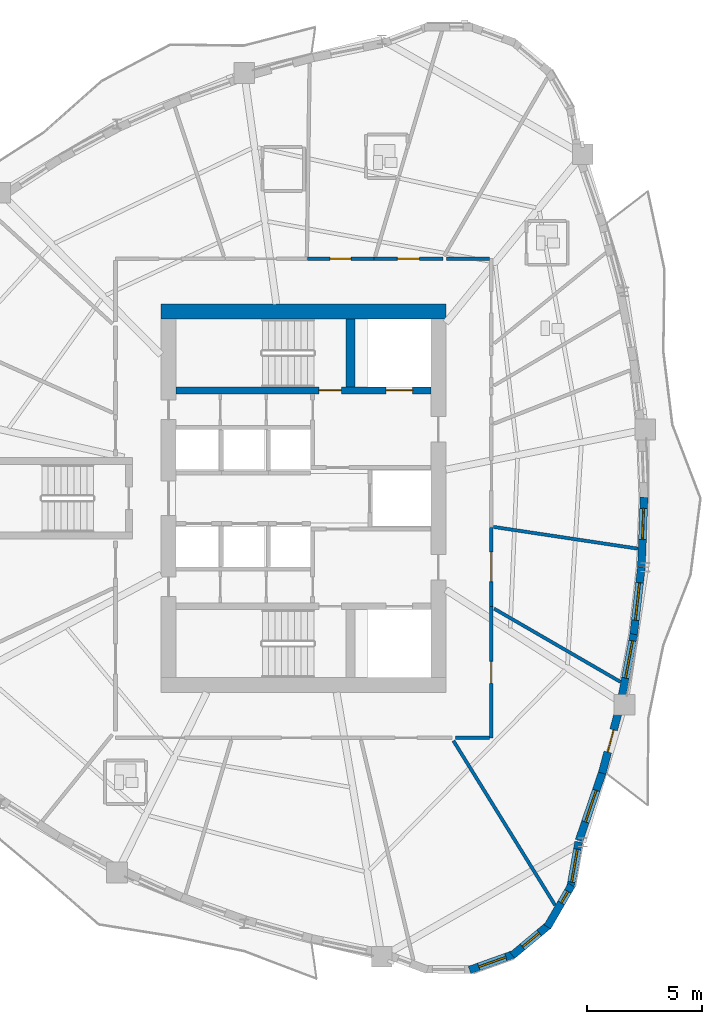
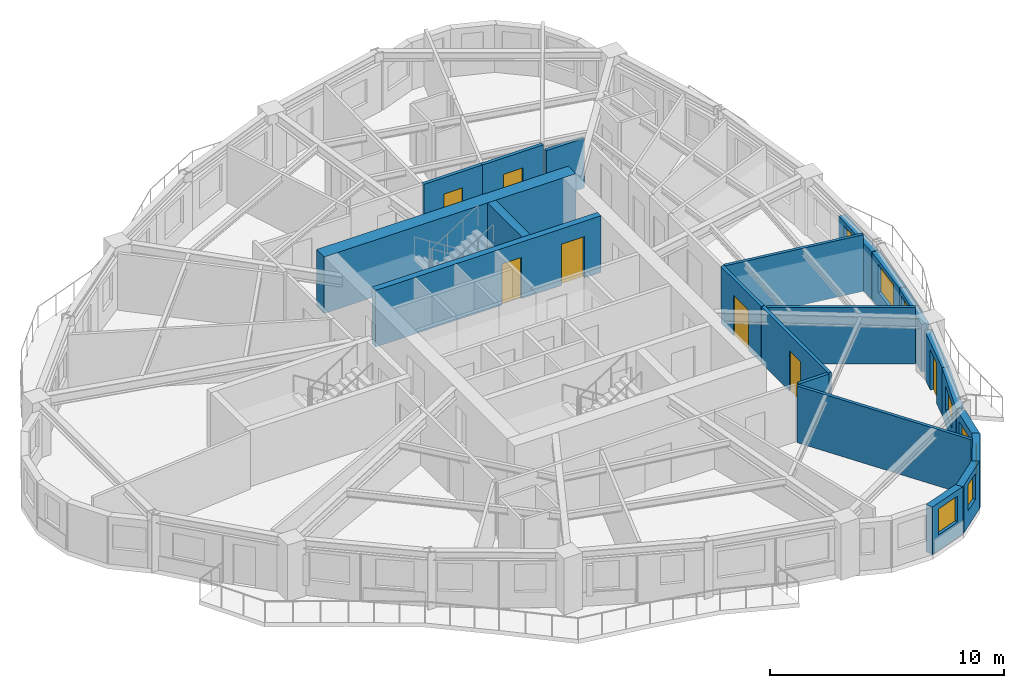
# One storey, part 6 of 12: 21 walls, 8 windows, 7 doors, 15 openings.
"""IFC4 building model written with IfcOpenShell, lengths in metres."""

from ifc_helpers import new_model, si_unit, direction, frame, frame_2d, origin, place, context, subcontext, project, spatial, rectangle, extrude, source, transform, mapped, material, layer, layer_set, type_object, element, fill, save


model = new_model("IFC4")

# Units and contexts
model_context = context("Model", 3, precision=1e-05, world=origin(), true_north=direction((0.0, 1.0)))
body_context = subcontext(model_context, "Body", "Model", "MODEL_VIEW")
ifc_project = project(units=[si_unit("LENGTHUNIT", "METRE"), si_unit("AREAUNIT", "SQUARE_METRE"), si_unit("VOLUMEUNIT", "CUBIC_METRE"), si_unit("PLANEANGLEUNIT", "RADIAN"), si_unit("MASSUNIT", "GRAM", prefix="KILO")], contexts=[model_context])

# Site, building, storey
site_placement = place(None, origin())
site = spatial("IfcSite", under=ifc_project, at=site_placement, CompositionType="ELEMENT")
building_placement = place(site_placement, origin())
building = spatial("IfcBuilding", under=site, at=building_placement, Name="Qafzar Sky-Pleat Residences", CompositionType="ELEMENT")
storey_placement = place(building_placement, frame((0.0, 0.0, 96.0)))
storey = spatial("IfcBuildingStorey", under=building, at=storey_placement, Name="L28", CompositionType="ELEMENT", Elevation=96.0)

# Wall, opening, door
ifc_material_1 = material(Name="Acoustic gypsum plasterboard partition", Category="gypsum")
ifc_layer_1 = layer(ifc_material_1, 0.159912109375)
ifc_layer_set_1 = layer_set([ifc_layer_1], Name="Acoustic gypsum plasterboard partition")
wall_type_1 = type_object("IfcWallType", Name="PART-COR-160", PredefinedType="PARTITIONING", material=ifc_layer_set_1)
wall_1_placement = place(storey_placement, frame((38.530029296875, 21.281005859375, 0.0), z_axis=(0.0, 0.0, 1.0), x_axis=(0.0, -1.0, 0.0)))
wall_1 = element("IfcWall", 1, at=wall_1_placement, inside=storey, type_object=wall_type_1, Name="L28 Partition Wall PART-L28-PW-002", PredefinedType="PARTITIONING", context=body_context, shape_type="SweptSolid", body=[
    extrude(rectangle(XDim=5.7109375, YDim=0.159912109375, at=frame_2d((2.85546875, 0.0))), origin(), (0.0, 0.0, 1.0), 2.949951171875),
])
opening_1_placement = place(wall_1_placement, frame((2.384033203125, 0.0, 0.0)))
opening_1 = element("IfcOpeningElement", 2, at=opening_1_placement, cuts=wall_1, Name="Opening ID-06", PredefinedType="OPENING", context=body_context, shape_type="SweptSolid", body=[
    extrude(rectangle(XDim=0.9599609375, YDim=2.10009765625, at=frame_2d((0.47998046875, 1.050048828125))), frame((0.0, 0.08984375, 0.0), z_axis=(0.0, -1.0, 0.0), x_axis=(1.0, 0.0, 0.0)), (0.0, 0.0, 1.0), 0.179931640625),
])
ifc_material_2 = material(Name="Timber-faced fire door", Category="wood")
door_type_1 = type_object("IfcDoorType", Name="DR-STD-960", OperationType="NOTDEFINED", PredefinedType="DOOR", material=ifc_material_2)
shared_shape_1 = source(origin(), body_context, "Body", "SweptSolid", [
    extrude(rectangle(XDim=0.9599609375, YDim=2.10009765625, at=frame_2d((0.47998046875, 1.050048828125))), frame((0.0, 0.02490234375, 0.0), z_axis=(0.0, -1.0, 0.0), x_axis=(1.0, 0.0, 0.0)), (0.0, 0.0, 1.0), 0.050048828125),
])
door_1_placement = place(opening_1_placement, origin())
door_1 = element("IfcDoor", 3, at=door_1_placement, inside=storey, type_object=door_type_1, Name="L28 Faculty Research Office Door", OperationType="SINGLE_SWING_RIGHT", OverallHeight=2.10009765625, OverallWidth=0.9599609375, PredefinedType="DOOR", context=body_context, shape_type="MappedRepresentation", body=[
    mapped(shared_shape_1, transform((0.0, 0.0, 0.0), x_axis=(1.0, 0.0, 0.0), y_axis=(0.0, 1.0, 0.0), z_axis=(0.0, 0.0, 1.0), scale=1.0)),
])
fill(opening_1, door_1)

wall_2_placement = place(storey_placement, frame((38.530029296875, 24.738037109375, 0.0), z_axis=(0.0, 0.0, 1.0), x_axis=(0.0, -1.0, 0.0)))
wall_2 = element("IfcWall", 4, at=wall_2_placement, inside=storey, type_object=wall_type_1, Name="L28 Partition Wall PART-L28-PW-011", PredefinedType="PARTITIONING", context=body_context, shape_type="SweptSolid", body=[
    extrude(rectangle(XDim=3.442138671875, YDim=0.159912109375, at=frame_2d((1.72119140625, 0.0))), origin(), (0.0, 0.0, 1.0), 2.949951171875),
])
opening_2_placement = place(wall_2_placement, frame((1.072021484375, 0.0, 0.0)))
opening_2 = element("IfcOpeningElement", 5, at=opening_2_placement, cuts=wall_2, Name="Opening ID-05", PredefinedType="OPENING", context=body_context, shape_type="SweptSolid", body=[
    extrude(rectangle(XDim=1.300048828125, YDim=2.10009765625, at=frame_2d((0.64990234375, 1.050048828125))), frame((0.0, 0.08984375, 0.0), z_axis=(0.0, -1.0, 0.0), x_axis=(1.0, 0.0, 0.0)), (0.0, 0.0, 1.0), 0.179931640625),
])
door_type_2 = type_object("IfcDoorType", Name="DR-LNG-1300", OperationType="DOUBLE_DOOR_SINGLE_SWING", PredefinedType="DOOR", material=ifc_material_2)
shared_shape_2 = source(origin(), body_context, "Body", "SweptSolid", [
    extrude(rectangle(XDim=1.300048828125, YDim=2.10009765625, at=frame_2d((0.64990234375, 1.050048828125))), frame((0.0, 0.02490234375, 0.0), z_axis=(0.0, -1.0, 0.0), x_axis=(1.0, 0.0, 0.0)), (0.0, 0.0, 1.0), 0.050048828125),
])
door_2_placement = place(opening_2_placement, origin())
door_2 = element("IfcDoor", 6, at=door_2_placement, inside=storey, type_object=door_type_2, Name="L28 Communal Kitchen Door", OperationType="DOUBLE_DOOR_SINGLE_SWING", OverallHeight=2.10009765625, OverallWidth=1.300048828125, PredefinedType="DOOR", context=body_context, shape_type="MappedRepresentation", body=[
    mapped(shared_shape_2, transform((0.0, 0.0, 0.0), x_axis=(1.0, 0.0, 0.0), y_axis=(0.0, 1.0, 0.0), z_axis=(0.0, 0.0, 1.0), scale=1.0)),
])
fill(opening_2, door_2)

wall_3_placement = place(storey_placement, frame((33.427978515625, 36.429931640625, 0.0), z_axis=(0.0, 0.0, 1.0), x_axis=(1.0, 0.0, 0.0)))
wall_3 = element("IfcWall", 7, at=wall_3_placement, inside=storey, type_object=wall_type_1, Name="L28 Partition Wall PART-L28-PW-012", PredefinedType="PARTITIONING", context=body_context, shape_type="SweptSolid", body=[
    extrude(rectangle(XDim=2.991943359375, YDim=0.159912109375, at=frame_2d((1.49609375, 0.0))), origin(), (0.0, 0.0, 1.0), 2.949951171875),
])
opening_3_placement = place(wall_3_placement, frame((1.015380859375, 0.0, 0.0)))
opening_3 = element("IfcOpeningElement", 8, at=opening_3_placement, cuts=wall_3, Name="Opening ID-06", PredefinedType="OPENING", context=body_context, shape_type="SweptSolid", body=[
    extrude(rectangle(XDim=0.9599609375, YDim=2.10009765625, at=frame_2d((0.47998046875, 1.050048828125))), frame((0.0, 0.08984375, 0.0), z_axis=(0.0, -1.0, 0.0), x_axis=(1.0, 0.0, 0.0)), (0.0, 0.0, 1.0), 0.179931640625),
])
door_3_placement = place(opening_3_placement, origin())
door_3 = element("IfcDoor", 9, at=door_3_placement, inside=storey, type_object=door_type_1, Name="L28 Reading Library Door", OperationType="SINGLE_SWING_LEFT", OverallHeight=2.10009765625, OverallWidth=0.9599609375, PredefinedType="DOOR", context=body_context, shape_type="MappedRepresentation", body=[
    mapped(shared_shape_1, transform((0.0, 0.0, 0.0), x_axis=(1.0, 0.0, 0.0), y_axis=(0.0, 1.0, 0.0), z_axis=(0.0, 0.0, 1.0), scale=1.0)),
])
fill(opening_3, door_3)

wall_4_placement = place(storey_placement, frame((30.529052734375, 36.429931640625, 0.0), z_axis=(0.0, 0.0, 1.0), x_axis=(1.0, 0.0, 0.0)))
wall_4 = element("IfcWall", 10, at=wall_4_placement, inside=storey, type_object=wall_type_1, Name="L28 Partition Wall PART-L28-PW-013", PredefinedType="PARTITIONING", context=body_context, shape_type="SweptSolid", body=[
    extrude(rectangle(XDim=2.884033203125, YDim=0.159912109375, at=frame_2d((1.44189453125, 0.0))), origin(), (0.0, 0.0, 1.0), 2.949951171875),
])
opening_4_placement = place(wall_4_placement, frame((0.982421875, 0.0, 0.0)))
opening_4 = element("IfcOpeningElement", 11, at=opening_4_placement, cuts=wall_4, Name="Opening ID-04", PredefinedType="OPENING", context=body_context, shape_type="SweptSolid", body=[
    extrude(rectangle(XDim=0.919921875, YDim=2.10009765625, at=frame_2d((0.4599609375, 1.050048828125))), frame((0.0, 0.08984375, 0.0), z_axis=(0.0, -1.0, 0.0), x_axis=(1.0, 0.0, 0.0)), (0.0, 0.0, 1.0), 0.179931640625),
])
door_type_3 = type_object("IfcDoorType", Name="DR-BED-920", OperationType="NOTDEFINED", PredefinedType="DOOR", material=ifc_material_2)
shared_shape_3 = source(origin(), body_context, "Body", "SweptSolid", [
    extrude(rectangle(XDim=0.919921875, YDim=2.10009765625, at=frame_2d((0.4599609375, 1.050048828125))), frame((0.0, 0.02490234375, 0.0), z_axis=(0.0, -1.0, 0.0), x_axis=(1.0, 0.0, 0.0)), (0.0, 0.0, 1.0), 0.050048828125),
])
door_4_placement = place(opening_4_placement, origin())
door_4 = element("IfcDoor", 12, at=door_4_placement, inside=storey, type_object=door_type_3, Name="L28 Co-Living Bedroom 3 Door", OperationType="SINGLE_SWING_RIGHT", OverallHeight=2.10009765625, OverallWidth=0.919921875, PredefinedType="DOOR", context=body_context, shape_type="MappedRepresentation", body=[
    mapped(shared_shape_3, transform((0.0, 0.0, 0.0), x_axis=(1.0, 0.0, 0.0), y_axis=(0.0, 1.0, 0.0), z_axis=(0.0, 0.0, 1.0), scale=1.0)),
])
fill(opening_4, door_4)

# Walls
wall_5_placement = place(storey_placement, frame((36.5732421875, 36.429931640625, 0.0), z_axis=(0.0, 0.0, 1.0), x_axis=(1.0, 0.0, 0.0)))
element("IfcWall", 13, at=wall_5_placement, inside=storey, type_object=wall_type_1, Name="L28 Partition Wall PART-L28-PW-041", PredefinedType="PARTITIONING", context=body_context, shape_type="SweptSolid", body=[
    extrude(rectangle(XDim=1.86865234375, YDim=0.159912109375, at=frame_2d((0.934326171875, 0.0))), origin(), (0.0, 0.0, 1.0), 2.587890625),
])
wall_6_placement = place(storey_placement, frame((36.976806640625, 15.570068359375, 0.0), z_axis=(0.0, 0.0, 1.0), x_axis=(1.0, 0.0, 0.0)))
element("IfcWall", 14, at=wall_6_placement, inside=storey, type_object=wall_type_1, Name="L28 Partition Wall PART-L28-PW-052", PredefinedType="PARTITIONING", context=body_context, shape_type="SweptSolid", body=[
    extrude(rectangle(XDim=1.465087890625, YDim=0.159912109375, at=frame_2d((0.732421875, 0.0))), origin(), (0.0, 0.0, 1.0), 2.949951171875),
])
ifc_layer_2 = layer(ifc_material_1, 0.14501953125)
ifc_layer_set_2 = layer_set([ifc_layer_2], Name="Acoustic gypsum plasterboard partition")
wall_type_2 = type_object("IfcWallType", Name="PART-UNIT-145", PredefinedType="PARTITIONING", material=ifc_layer_set_2)
wall_7_placement = place(storey_placement, frame((36.87841796875, 15.445068359375, 0.0), z_axis=(0.0, 0.0, 1.0), x_axis=(0.526001305793, -0.850483760165, 0.0)))
element("IfcWall", 15, at=wall_7_placement, inside=storey, type_object=wall_type_2, Name="L28 Partition Wall PART-L28-PW-026", PredefinedType="PARTITIONING", context=body_context, shape_type="SweptSolid", body=[
    extrude(rectangle(XDim=8.42236328125, YDim=0.14501953125, at=frame_2d((4.211181640625, 0.0))), origin(), (0.0, 0.0, 1.0), 2.949951171875),
])
wall_8_placement = place(storey_placement, frame((38.6533203125, 21.192626953125, 0.0), z_axis=(0.0, 0.0, 1.0), x_axis=(0.865364941279, -0.501142213753, 0.0)))
element("IfcWall", 16, at=wall_8_placement, inside=storey, type_object=wall_type_2, Name="L28 Partition Wall PART-L28-PW-034", PredefinedType="PARTITIONING", context=body_context, shape_type="SweptSolid", body=[
    extrude(rectangle(XDim=6.358642578125, YDim=0.14501953125, at=frame_2d((3.17919921875, 0.0))), origin(), (0.0, 0.0, 1.0), 2.949951171875),
])
wall_9_placement = place(storey_placement, frame((38.628662109375, 24.753173828125, 0.0), z_axis=(0.0, 0.0, 1.0), x_axis=(0.988841427723, -0.148971912852, 0.0)))
element("IfcWall", 17, at=wall_9_placement, inside=storey, type_object=wall_type_2, Name="L28 Partition Wall PART-L28-PW-035", PredefinedType="PARTITIONING", context=body_context, shape_type="SweptSolid", body=[
    extrude(rectangle(XDim=6.35205078125, YDim=0.14501953125, at=frame_2d((3.176025390625, 0.0))), origin(), (0.0, 0.0, 1.0), 2.949951171875),
])

# Wall, opening, window
ifc_material_3 = material(Name="Precast concrete C40/50 with honed Riyadh limestone", Category="concrete")
ifc_layer_3 = layer(ifc_material_3, 0.340087890625)
ifc_layer_set_3 = layer_set([ifc_layer_3], Name="Precast concrete C40/50 with honed Riyadh limestone")
wall_type_3 = type_object("IfcWallType", Name="WALL-EXT-340", PredefinedType="SOLIDWALL", material=ifc_layer_set_3)
wall_10_placement = place(storey_placement, frame((37.58447265625, 5.458251953125, 0.0), z_axis=(0.0, 0.0, 1.0), x_axis=(0.941473186867, 0.33708787936, 0.0)))
wall_10 = element("IfcWall", 18, at=wall_10_placement, inside=storey, type_object=wall_type_3, Name="L28 Limestone Facade Wall 19", PredefinedType="SOLIDWALL", context=body_context, shape_type="SweptSolid", body=[
    extrude(rectangle(XDim=2.098876953125, YDim=0.340087890625, at=frame_2d((1.04931640625, 0.0))), origin(), (0.0, 0.0, 1.0), 2.47998046875),
])
opening_5_placement = place(wall_10_placement, frame((0.424560546875, 0.0, 0.820068359375)))
opening_5 = element("IfcOpeningElement", 19, at=opening_5_placement, cuts=wall_10, Name="Opening WN-11", PredefinedType="OPENING", context=body_context, shape_type="SweptSolid", body=[
    extrude(rectangle(XDim=1.25, YDim=1.35009765625, at=frame_2d((0.625, 0.675048828125))), frame((0.0, 0.18017578125, 0.0), z_axis=(0.0, -1.0, 0.0), x_axis=(1.0, 0.0, 0.0)), (0.0, 0.0, 1.0), 0.360107421875),
])
ifc_material_4 = material(Name="Solar-control low-E glass in bronze aluminium frame", Category="glass")
window_type_1 = type_object("IfcWindowType", Name="WIN-11", PartitioningType="SINGLE_PANEL", PredefinedType="WINDOW", material=ifc_material_4)
shared_shape_4 = source(origin(), body_context, "Body", "SweptSolid", [
    extrude(rectangle(XDim=1.25, YDim=1.35009765625, at=frame_2d((0.625, 0.675048828125))), frame((0.0, 0.030029296875, 0.0), z_axis=(0.0, -1.0, 0.0), x_axis=(1.0, 0.0, 0.0)), (0.0, 0.0, 1.0), 0.06005859375),
])
window_1_placement = place(opening_5_placement, origin())
window_1 = element("IfcWindow", 20, at=window_1_placement, inside=storey, type_object=window_type_1, Name="L28 Punched Facade Window 19", OverallHeight=1.35009765625, OverallWidth=1.25, PartitioningType="SINGLE_PANEL", PredefinedType="WINDOW", context=body_context, shape_type="MappedRepresentation", body=[
    mapped(shared_shape_4, transform((0.0, 0.0, 0.0), x_axis=(1.0, 0.0, 0.0), y_axis=(0.0, 1.0, 0.0), z_axis=(0.0, 0.0, 1.0), scale=1.0)),
])
fill(opening_5, window_1)

wall_11_placement = place(storey_placement, frame((39.444091796875, 6.09912109375, 0.0), z_axis=(0.0, 0.0, 1.0), x_axis=(0.768497696041, 0.639852554249, 0.0)))
wall_11 = element("IfcWall", 21, at=wall_11_placement, inside=storey, type_object=wall_type_3, Name="L28 Limestone Facade Wall 20", PredefinedType="SOLIDWALL", context=body_context, shape_type="SweptSolid", body=[
    extrude(rectangle(XDim=2.098876953125, YDim=0.340087890625, at=frame_2d((1.04931640625, 0.0))), origin(), (0.0, 0.0, 1.0), 2.47998046875),
])
opening_6_placement = place(wall_11_placement, frame((0.574462890625, 0.0, 0.820068359375)))
opening_6 = element("IfcOpeningElement", 22, at=opening_6_placement, cuts=wall_11, Name="Opening WN-12", PredefinedType="OPENING", context=body_context, shape_type="SweptSolid", body=[
    extrude(rectangle(XDim=0.949951171875, YDim=1.35009765625, at=frame_2d((0.47509765625, 0.675048828125))), frame((0.0, 0.18017578125, 0.0), z_axis=(0.0, -1.0, 0.0), x_axis=(1.0, 0.0, 0.0)), (0.0, 0.0, 1.0), 0.360107421875),
])
window_type_2 = type_object("IfcWindowType", Name="WIN-12", PartitioningType="SINGLE_PANEL", PredefinedType="WINDOW", material=ifc_material_4)
shared_shape_5 = source(origin(), body_context, "Body", "SweptSolid", [
    extrude(rectangle(XDim=0.949951171875, YDim=1.35009765625, at=frame_2d((0.47509765625, 0.675048828125))), frame((0.0, 0.030029296875, 0.0), z_axis=(0.0, -1.0, 0.0), x_axis=(1.0, 0.0, 0.0)), (0.0, 0.0, 1.0), 0.06005859375),
])
window_2_placement = place(opening_6_placement, origin())
window_2 = element("IfcWindow", 23, at=window_2_placement, inside=storey, type_object=window_type_2, Name="L28 Punched Facade Window 20", OverallHeight=1.35009765625, OverallWidth=0.949951171875, PartitioningType="SINGLE_PANEL", PredefinedType="WINDOW", context=body_context, shape_type="MappedRepresentation", body=[
    mapped(shared_shape_5, transform((0.0, 0.0, 0.0), x_axis=(1.0, 0.0, 0.0), y_axis=(0.0, 1.0, 0.0), z_axis=(0.0, 0.0, 1.0), scale=1.0)),
])
fill(opening_6, window_2)

wall_12_placement = place(storey_placement, frame((40.970703125, 7.339599609375, 0.0), z_axis=(0.0, 0.0, 1.0), x_axis=(0.501902596059, 0.864924149315, 0.0)))
wall_12 = element("IfcWall", 24, at=wall_12_placement, inside=storey, type_object=wall_type_3, Name="L28 Limestone Facade Wall 21", PredefinedType="SOLIDWALL", context=body_context, shape_type="SweptSolid", body=[
    extrude(rectangle(XDim=2.098876953125, YDim=0.340087890625, at=frame_2d((1.04931640625, 0.0))), origin(), (0.0, 0.0, 1.0), 2.47998046875),
])
opening_7_placement = place(wall_12_placement, frame((1.206298828125, 0.0, 0.820068359375)))
opening_7 = element("IfcOpeningElement", 25, at=opening_7_placement, cuts=wall_12, Name="Opening WN-17", PredefinedType="OPENING", context=body_context, shape_type="SweptSolid", body=[
    extrude(rectangle(XDim=0.580078125, YDim=1.35009765625, at=frame_2d((0.2900390625, 0.675048828125))), frame((0.0, 0.18017578125, 0.0), z_axis=(0.0, -1.0, 0.0), x_axis=(1.0, 0.0, 0.0)), (0.0, 0.0, 1.0), 0.360107421875),
])
window_type_3 = type_object("IfcWindowType", Name="WIN-17", PartitioningType="SINGLE_PANEL", PredefinedType="WINDOW", material=ifc_material_4)
shared_shape_6 = source(origin(), body_context, "Body", "SweptSolid", [
    extrude(rectangle(XDim=0.580078125, YDim=1.35009765625, at=frame_2d((0.2900390625, 0.675048828125))), frame((0.0, 0.030029296875, 0.0), z_axis=(0.0, -1.0, 0.0), x_axis=(1.0, 0.0, 0.0)), (0.0, 0.0, 1.0), 0.06005859375),
])
window_3_placement = place(opening_7_placement, origin())
window_3 = element("IfcWindow", 26, at=window_3_placement, inside=storey, type_object=window_type_3, Name="L28 Punched Facade Window 21-2", OverallHeight=1.35009765625, OverallWidth=0.580078125, PartitioningType="SINGLE_PANEL", PredefinedType="WINDOW", context=body_context, shape_type="MappedRepresentation", body=[
    mapped(shared_shape_6, transform((0.0, 0.0, 0.0), x_axis=(1.0, 0.0, 0.0), y_axis=(0.0, 1.0, 0.0), z_axis=(0.0, 0.0, 1.0), scale=1.0)),
])
fill(opening_7, window_3)

wall_13_placement = place(storey_placement, frame((41.978271484375, 9.029052734375, 0.0), z_axis=(0.0, 0.0, 1.0), x_axis=(0.174283452483, 0.984695525627, 0.0)))
wall_13 = element("IfcWall", 27, at=wall_13_placement, inside=storey, type_object=wall_type_3, Name="L28 Limestone Facade Wall 22", PredefinedType="SOLIDWALL", context=body_context, shape_type="SweptSolid", body=[
    extrude(rectangle(XDim=2.041015625, YDim=0.340087890625, at=frame_2d((1.0205078125, 0.0))), origin(), (0.0, 0.0, 1.0), 2.47998046875),
])
opening_8_placement = place(wall_13_placement, frame((0.265380859375, 0.0, 0.820068359375)))
opening_8 = element("IfcOpeningElement", 28, at=opening_8_placement, cuts=wall_13, Name="Opening WN-15", PredefinedType="OPENING", context=body_context, shape_type="SweptSolid", body=[
    extrude(rectangle(XDim=1.449951171875, YDim=1.25, at=frame_2d((0.72509765625, 0.625))), frame((0.0, 0.18017578125, 0.0), z_axis=(0.0, -1.0, 0.0), x_axis=(1.0, 0.0, 0.0)), (0.0, 0.0, 1.0), 0.360107421875),
])
window_type_4 = type_object("IfcWindowType", Name="WIN-15", PartitioningType="SINGLE_PANEL", PredefinedType="WINDOW", material=ifc_material_4)
shared_shape_7 = source(origin(), body_context, "Body", "SweptSolid", [
    extrude(rectangle(XDim=1.449951171875, YDim=1.25, at=frame_2d((0.72509765625, 0.625))), frame((0.0, 0.030029296875, 0.0), z_axis=(0.0, -1.0, 0.0), x_axis=(1.0, 0.0, 0.0)), (0.0, 0.0, 1.0), 0.06005859375),
])
window_4_placement = place(opening_8_placement, origin())
window_4 = element("IfcWindow", 29, at=window_4_placement, inside=storey, type_object=window_type_4, Name="L28 Punched Facade Window 22", OverallHeight=1.25, OverallWidth=1.449951171875, PartitioningType="SINGLE_PANEL", PredefinedType="WINDOW", context=body_context, shape_type="MappedRepresentation", body=[
    mapped(shared_shape_7, transform((0.0, 0.0, 0.0), x_axis=(1.0, 0.0, 0.0), y_axis=(0.0, 1.0, 0.0), z_axis=(0.0, 0.0, 1.0), scale=1.0)),
])
fill(opening_8, window_4)

wall_14_placement = place(storey_placement, frame((42.3505859375, 11.102783203125, 0.0), z_axis=(0.0, 0.0, 1.0), x_axis=(0.323582854182, 0.946199839611, 0.0)))
wall_14 = element("IfcWall", 30, at=wall_14_placement, inside=storey, type_object=wall_type_3, Name="L28 Limestone Facade Wall 23", PredefinedType="SOLIDWALL", context=body_context, shape_type="SweptSolid", body=[
    extrude(rectangle(XDim=3.182373046875, YDim=0.340087890625, at=frame_2d((1.59130859375, 0.0))), origin(), (0.0, 0.0, 1.0), 2.47998046875),
])
opening_9_placement = place(wall_14_placement, frame((0.856201171875, 0.0, 0.820068359375)))
opening_9 = element("IfcOpeningElement", 31, at=opening_9_placement, cuts=wall_14, Name="Opening WN-15", PredefinedType="OPENING", context=body_context, shape_type="SweptSolid", body=[
    extrude(rectangle(XDim=1.449951171875, YDim=1.25, at=frame_2d((0.72509765625, 0.625))), frame((0.0, 0.18017578125, 0.0), z_axis=(0.0, -1.0, 0.0), x_axis=(1.0, 0.0, 0.0)), (0.0, 0.0, 1.0), 0.360107421875),
])
window_5_placement = place(opening_9_placement, origin())
window_5 = element("IfcWindow", 32, at=window_5_placement, inside=storey, type_object=window_type_4, Name="L28 Punched Facade Window 23", OverallHeight=1.25, OverallWidth=1.449951171875, PartitioningType="SINGLE_PANEL", PredefinedType="WINDOW", context=body_context, shape_type="MappedRepresentation", body=[
    mapped(shared_shape_7, transform((0.0, 0.0, 0.0), x_axis=(1.0, 0.0, 0.0), y_axis=(0.0, 1.0, 0.0), z_axis=(0.0, 0.0, 1.0), scale=1.0)),
])
fill(opening_9, window_5)

# Wall, opening, door
wall_15_placement = place(storey_placement, frame((43.35498046875, 14.030029296875, 0.0), z_axis=(0.0, 0.0, 1.0), x_axis=(0.257056088809, 0.96639648551, 0.0)))
wall_15 = element("IfcWall", 33, at=wall_15_placement, inside=storey, type_object=wall_type_3, Name="L28 Limestone Facade Wall 24", PredefinedType="SOLIDWALL", context=body_context, shape_type="SweptSolid", body=[
    extrude(rectangle(XDim=2.90625, YDim=0.340087890625, at=frame_2d((1.453125, 0.0))), origin(), (0.0, 0.0, 1.0), 2.47998046875),
])
opening_10_placement = place(wall_15_placement, frame((0.953125, 0.0, 0.0)))
opening_10 = element("IfcOpeningElement", 34, at=opening_10_placement, cuts=wall_15, Name="Opening ED-05", PredefinedType="OPENING", context=body_context, shape_type="SweptSolid", body=[
    extrude(rectangle(XDim=1.0, YDim=2.10009765625, at=frame_2d((0.5, 1.050048828125))), frame((0.0, 0.18017578125, 0.0), z_axis=(0.0, -1.0, 0.0), x_axis=(1.0, 0.0, 0.0)), (0.0, 0.0, 1.0), 0.360107421875),
])
ifc_material_5 = material(Name="Glazed bronze aluminium door", Category="aluminium")
door_type_4 = type_object("IfcDoorType", Name="DR-BAL-1000", OperationType="NOTDEFINED", PredefinedType="DOOR", material=ifc_material_5)
shared_shape_8 = source(origin(), body_context, "Body", "SweptSolid", [
    extrude(rectangle(XDim=1.0, YDim=2.10009765625, at=frame_2d((0.5, 1.050048828125))), frame((0.0, 0.02490234375, 0.0), z_axis=(0.0, -1.0, 0.0), x_axis=(1.0, 0.0, 0.0)), (0.0, 0.0, 1.0), 0.050048828125),
])
door_5_placement = place(opening_10_placement, origin())
door_5 = element("IfcDoor", 35, at=door_5_placement, inside=storey, type_object=door_type_4, Name="L28 Glazed Balcony Door 1", OperationType="SINGLE_SWING_LEFT", OverallHeight=2.10009765625, OverallWidth=1.0, PredefinedType="DOOR", context=body_context, shape_type="MappedRepresentation", body=[
    mapped(shared_shape_8, transform((0.0, 0.0, 0.0), x_axis=(1.0, 0.0, 0.0), y_axis=(0.0, 1.0, 0.0), z_axis=(0.0, 0.0, 1.0), scale=1.0)),
])
fill(opening_10, door_5)

# Wall, opening, window
wall_16_placement = place(storey_placement, frame((44.201416015625, 17.27490234375, 0.0), z_axis=(0.0, 0.0, 1.0), x_axis=(0.186703550023, 0.982416298933, 0.0)))
wall_16 = element("IfcWall", 36, at=wall_16_placement, inside=storey, type_object=wall_type_3, Name="L28 Limestone Facade Wall 25", PredefinedType="SOLIDWALL", context=body_context, shape_type="SweptSolid", body=[
    extrude(rectangle(XDim=2.85595703125, YDim=0.340087890625, at=frame_2d((1.427978515625, 0.0))), origin(), (0.0, 0.0, 1.0), 2.47998046875),
])
opening_11_placement = place(wall_16_placement, frame((0.9140625, 0.0, 0.820068359375)))
opening_11 = element("IfcOpeningElement", 37, at=opening_11_placement, cuts=wall_16, Name="Opening WN-02", PredefinedType="OPENING", context=body_context, shape_type="SweptSolid", body=[
    extrude(rectangle(XDim=1.64990234375, YDim=1.449951171875, at=frame_2d((0.824951171875, 0.72509765625))), frame((0.0, 0.18017578125, 0.0), z_axis=(0.0, -1.0, 0.0), x_axis=(1.0, 0.0, 0.0)), (0.0, 0.0, 1.0), 0.360107421875),
])
window_type_5 = type_object("IfcWindowType", Name="WIN-02", PartitioningType="DOUBLE_PANEL_VERTICAL", PredefinedType="WINDOW", material=ifc_material_4)
shared_shape_9 = source(origin(), body_context, "Body", "SweptSolid", [
    extrude(rectangle(XDim=1.64990234375, YDim=1.449951171875, at=frame_2d((0.824951171875, 0.72509765625))), frame((0.0, 0.030029296875, 0.0), z_axis=(0.0, -1.0, 0.0), x_axis=(1.0, 0.0, 0.0)), (0.0, 0.0, 1.0), 0.06005859375),
])
window_6_placement = place(opening_11_placement, origin())
window_6 = element("IfcWindow", 38, at=window_6_placement, inside=storey, type_object=window_type_5, Name="L28 Punched Facade Window 25-2", OverallHeight=1.449951171875, OverallWidth=1.64990234375, PartitioningType="SINGLE_PANEL", PredefinedType="WINDOW", context=body_context, shape_type="MappedRepresentation", body=[
    mapped(shared_shape_9, transform((0.0, 0.0, 0.0), x_axis=(1.0, 0.0, 0.0), y_axis=(0.0, 1.0, 0.0), z_axis=(0.0, 0.0, 1.0), scale=1.0)),
])
fill(opening_11, window_6)

wall_17_placement = place(storey_placement, frame((44.72119140625, 19.992919921875, 0.0), z_axis=(0.0, 0.0, 1.0), x_axis=(0.113224078967, 0.993569478165, 0.0)))
wall_17 = element("IfcWall", 39, at=wall_17_placement, inside=storey, type_object=wall_type_3, Name="L28 Limestone Facade Wall 26", PredefinedType="SOLIDWALL", context=body_context, shape_type="SweptSolid", body=[
    extrude(rectangle(XDim=3.03173828125, YDim=0.340087890625, at=frame_2d((1.515869140625, 0.0))), origin(), (0.0, 0.0, 1.0), 2.47998046875),
])
opening_12_placement = place(wall_17_placement, frame((0.70068359375, 0.0, 0.820068359375)))
opening_12 = element("IfcOpeningElement", 40, at=opening_12_placement, cuts=wall_17, Name="Opening WN-02", PredefinedType="OPENING", context=body_context, shape_type="SweptSolid", body=[
    extrude(rectangle(XDim=1.64990234375, YDim=1.449951171875, at=frame_2d((0.824951171875, 0.72509765625))), frame((0.0, 0.18017578125, 0.0), z_axis=(0.0, -1.0, 0.0), x_axis=(1.0, 0.0, 0.0)), (0.0, 0.0, 1.0), 0.360107421875),
])
window_7_placement = place(opening_12_placement, origin())
window_7 = element("IfcWindow", 41, at=window_7_placement, inside=storey, type_object=window_type_5, Name="L28 Punched Facade Window 26", OverallHeight=1.449951171875, OverallWidth=1.64990234375, PartitioningType="SINGLE_PANEL", PredefinedType="WINDOW", context=body_context, shape_type="MappedRepresentation", body=[
    mapped(shared_shape_9, transform((0.0, 0.0, 0.0), x_axis=(1.0, 0.0, 0.0), y_axis=(0.0, 1.0, 0.0), z_axis=(0.0, 0.0, 1.0), scale=1.0)),
])
fill(opening_12, window_7)

wall_18_placement = place(storey_placement, frame((45.066650390625, 23.0322265625, 0.0), z_axis=(0.0, 0.0, 1.0), x_axis=(0.037985210196, 0.999278301479, 0.0)))
wall_18 = element("IfcWall", 42, at=wall_18_placement, inside=storey, type_object=wall_type_3, Name="L28 Limestone Facade Wall 27", PredefinedType="SOLIDWALL", context=body_context, shape_type="SweptSolid", body=[
    extrude(rectangle(XDim=3.014404296875, YDim=0.340087890625, at=frame_2d((1.50732421875, 0.0))), origin(), (0.0, 0.0, 1.0), 2.47998046875),
])
opening_13_placement = place(wall_18_placement, frame((1.1748046875, 0.0, 0.820068359375)))
opening_13 = element("IfcOpeningElement", 43, at=opening_13_placement, cuts=wall_18, Name="Opening WN-04", PredefinedType="OPENING", context=body_context, shape_type="SweptSolid", body=[
    extrude(rectangle(XDim=1.35009765625, YDim=1.449951171875, at=frame_2d((0.675048828125, 0.72509765625))), frame((0.0, 0.18017578125, 0.0), z_axis=(0.0, -1.0, 0.0), x_axis=(1.0, 0.0, 0.0)), (0.0, 0.0, 1.0), 0.360107421875),
])
window_type_6 = type_object("IfcWindowType", Name="WIN-04", PartitioningType="SINGLE_PANEL", PredefinedType="WINDOW", material=ifc_material_4)
shared_shape_10 = source(origin(), body_context, "Body", "SweptSolid", [
    extrude(rectangle(XDim=1.35009765625, YDim=1.449951171875, at=frame_2d((0.675048828125, 0.72509765625))), frame((0.0, 0.030029296875, 0.0), z_axis=(0.0, -1.0, 0.0), x_axis=(1.0, 0.0, 0.0)), (0.0, 0.0, 1.0), 0.06005859375),
])
window_8_placement = place(opening_13_placement, origin())
window_8 = element("IfcWindow", 44, at=window_8_placement, inside=storey, type_object=window_type_6, Name="L28 Punched Facade Window 27-2", OverallHeight=1.449951171875, OverallWidth=1.35009765625, PartitioningType="SINGLE_PANEL", PredefinedType="WINDOW", context=body_context, shape_type="MappedRepresentation", body=[
    mapped(shared_shape_10, transform((0.0, 0.0, 0.0), x_axis=(1.0, 0.0, 0.0), y_axis=(0.0, 1.0, 0.0), z_axis=(0.0, 0.0, 1.0), scale=1.0)),
])
fill(opening_13, window_8)

# Wall, openings, doors
ifc_material_6 = material(Name="Concrete C60/75", Category="concrete")
ifc_layer_4 = layer(ifc_material_6, 0.300048828125)
ifc_layer_set_4 = layer_set([ifc_layer_4], Name="Concrete C60/75")
wall_type_4 = type_object("IfcWallType", Name="WALL-SHEAR-300", PredefinedType="SHEAR", material=ifc_layer_set_4)
wall_19_placement = place(storey_placement, frame((24.800048828125, 30.699951171875, 0.0), z_axis=(0.0, 0.0, 1.0), x_axis=(1.0, 0.0, 0.0)))
wall_19 = element("IfcWall", 45, at=wall_19_placement, inside=storey, type_object=wall_type_4, Name="L28 Stair ST2 and FF2 Shaft South Wall", PredefinedType="SHEAR", context=body_context, shape_type="SweptSolid", body=[
    extrude(rectangle(XDim=11.099853515625, YDim=0.300048828125, at=frame_2d((5.5498046875, 0.0))), origin(), (0.0, 0.0, 1.0), 2.949951171875),
])
opening_14_placement = place(wall_19_placement, frame((6.219970703125, 0.0, 0.0)))
opening_14 = element("IfcOpeningElement", 46, at=opening_14_placement, cuts=wall_19, Name="Opening ID-01", PredefinedType="OPENING", context=body_context, shape_type="SweptSolid", body=[
    extrude(rectangle(XDim=0.97998046875, YDim=2.14990234375, at=frame_2d((0.489990234375, 1.074951171875))), frame((0.0, 0.16015625, 0.0), z_axis=(0.0, -1.0, 0.0), x_axis=(1.0, 0.0, 0.0)), (0.0, 0.0, 1.0), 0.320068359375),
])
opening_15_placement = place(wall_19_placement, frame((9.14990234375, 0.0, 0.0)))
opening_15 = element("IfcOpeningElement", 47, at=opening_15_placement, cuts=wall_19, Name="Opening LD-02", PredefinedType="OPENING", context=body_context, shape_type="SweptSolid", body=[
    extrude(rectangle(XDim=1.14990234375, YDim=2.14990234375, at=frame_2d((0.574951171875, 1.074951171875))), frame((0.0, 0.16015625, 0.0), z_axis=(0.0, -1.0, 0.0), x_axis=(1.0, 0.0, 0.0)), (0.0, 0.0, 1.0), 0.320068359375),
])
door_type_5 = type_object("IfcDoorType", Name="DR-STAIR-980", OperationType="NOTDEFINED", PredefinedType="DOOR", material=ifc_material_2)
shared_shape_11 = source(origin(), body_context, "Body", "SweptSolid", [
    extrude(rectangle(XDim=0.97998046875, YDim=2.14990234375, at=frame_2d((0.489990234375, 1.074951171875))), frame((0.0, 0.02490234375, 0.0), z_axis=(0.0, -1.0, 0.0), x_axis=(1.0, 0.0, 0.0)), (0.0, 0.0, 1.0), 0.050048828125),
])
door_6_placement = place(opening_14_placement, origin())
door_6 = element("IfcDoor", 48, at=door_6_placement, inside=storey, type_object=door_type_5, Name="L28 Stair ST2 Fire Door", OperationType="SINGLE_SWING_RIGHT", OverallHeight=2.14990234375, OverallWidth=0.97998046875, PredefinedType="DOOR", context=body_context, shape_type="MappedRepresentation", body=[
    mapped(shared_shape_11, transform((0.0, 0.0, 0.0), x_axis=(1.0, 0.0, 0.0), y_axis=(0.0, 1.0, 0.0), z_axis=(0.0, 0.0, 1.0), scale=1.0)),
])
fill(opening_14, door_6)
ifc_material_7 = material(Name="Stainless steel sliding landing door", Category="steel")
door_type_6 = type_object("IfcDoorType", Name="DR-LIFT-FF", OperationType="DOUBLE_DOOR_SLIDING", PredefinedType="DOOR", material=ifc_material_7)
shared_shape_12 = source(origin(), body_context, "Body", "SweptSolid", [
    extrude(rectangle(XDim=1.14990234375, YDim=2.14990234375, at=frame_2d((0.574951171875, 1.074951171875))), frame((0.0, 0.02490234375, 0.0), z_axis=(0.0, -1.0, 0.0), x_axis=(1.0, 0.0, 0.0)), (0.0, 0.0, 1.0), 0.050048828125),
])
door_7_placement = place(opening_15_placement, origin())
door_7 = element("IfcDoor", 49, at=door_7_placement, inside=storey, type_object=door_type_6, Name="L28 Firefighting Lift FF2 Landing Door", OperationType="DOUBLE_DOOR_SLIDING", OverallHeight=2.14990234375, OverallWidth=1.14990234375, PredefinedType="DOOR", context=body_context, shape_type="MappedRepresentation", body=[
    mapped(shared_shape_12, transform((0.0, 0.0, 0.0), x_axis=(1.0, 0.0, 0.0), y_axis=(0.0, 1.0, 0.0), z_axis=(0.0, 0.0, 1.0), scale=1.0)),
])
fill(opening_15, door_7)

# Walls
ifc_layer_5 = layer(ifc_material_6, 0.39990234375)
ifc_layer_set_5 = layer_set([ifc_layer_5], Name="Concrete C60/75")
wall_type_5 = type_object("IfcWallType", Name="WALL-SHEAR-400", PredefinedType="SHEAR", material=ifc_layer_set_5)
wall_20_placement = place(storey_placement, frame((32.39990234375, 30.85009765625, 0.0), z_axis=(0.0, 0.0, 1.0), x_axis=(0.0, 1.0, 0.0)))
element("IfcWall", 50, at=wall_20_placement, inside=storey, type_object=wall_type_5, Name="L28 Stair ST2 East Dividing Wall", PredefinedType="SHEAR", context=body_context, shape_type="SweptSolid", body=[
    extrude(rectangle(XDim=2.949951171875, YDim=0.39990234375, at=frame_2d((1.47509765625, 0.0))), origin(), (0.0, 0.0, 1.0), 2.949951171875),
])
ifc_layer_6 = layer(ifc_material_6, 0.64990234375)
ifc_layer_set_6 = layer_set([ifc_layer_6], Name="Concrete C60/75")
wall_type_6 = type_object("IfcWallType", Name="WALL-SHEAR-650", PredefinedType="SHEAR", material=ifc_layer_set_6)
wall_21_placement = place(storey_placement, frame((36.550048828125, 34.125, 0.0), z_axis=(0.0, 0.0, 1.0), x_axis=(-1.0, 0.0, 0.0)))
element("IfcWall", 51, at=wall_21_placement, inside=storey, type_object=wall_type_6, Name="L28 CORE wall N", PredefinedType="SHEAR", context=body_context, shape_type="SweptSolid", body=[
    extrude(rectangle(XDim=12.400146484375, YDim=0.64990234375, at=frame_2d((6.2001953125, 0.0))), origin(), (0.0, 0.0, 1.0), 2.949951171875),
])

save(model, "model.ifc")
